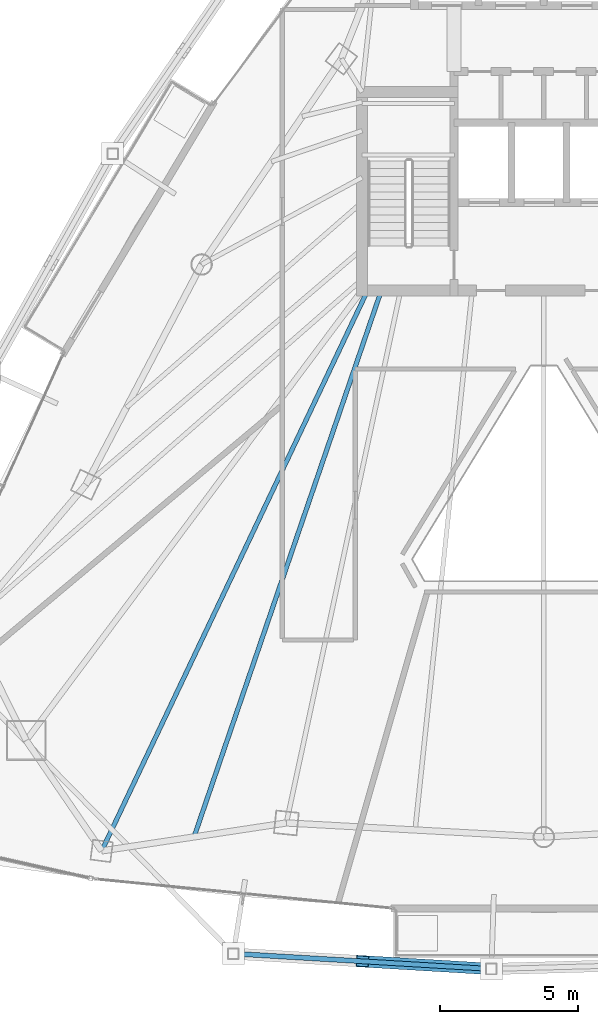
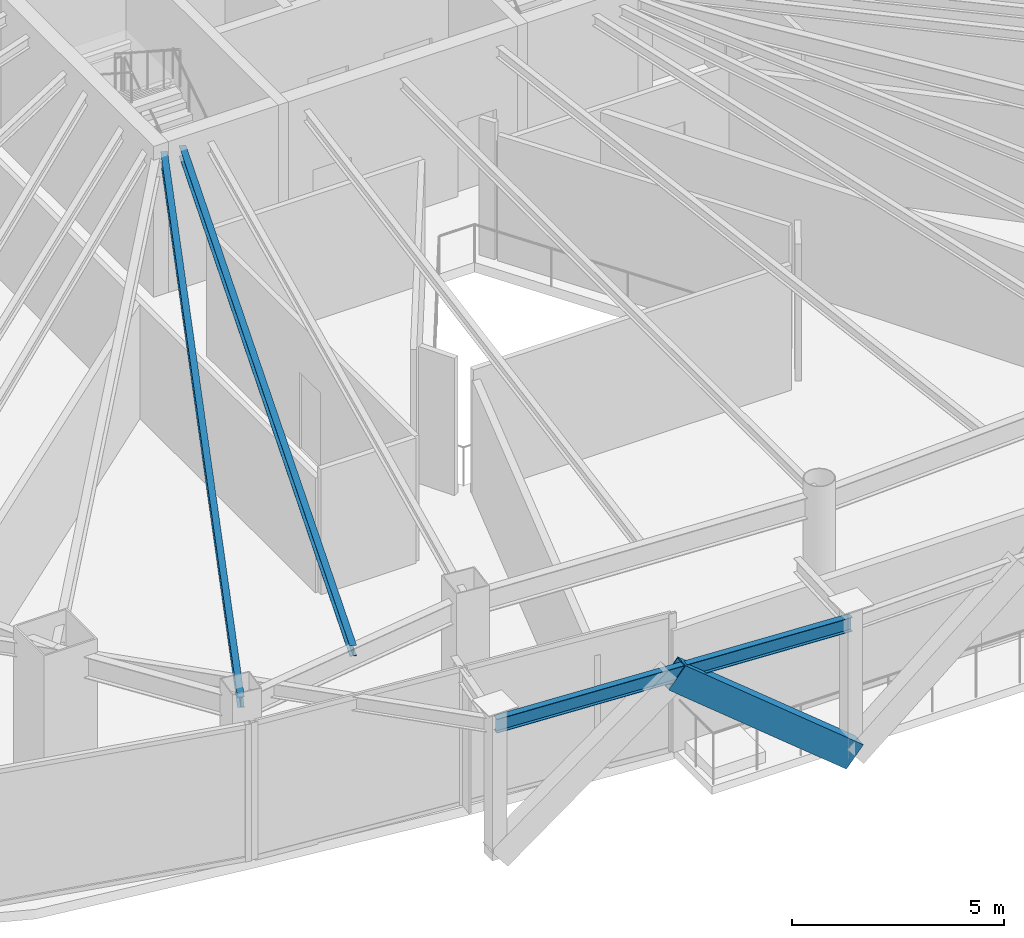
# One storey, part 5 of 27: 3 beams, 1 member.
"""IFC4 building model written with IfcOpenShell, lengths in metres."""

from ifc_helpers import new_model, si_unit, direction, frame, origin, origin_2d, place, context, subcontext, project, spatial, hollow_rectangle, i_section, extrude, material, material_profile, profile_set, type_object, element, save


model = new_model("IFC4")

# Units and contexts
model_context = context("Model", 3, precision=1e-05, world=origin(), true_north=direction((0.0, 1.0)))
body_context = subcontext(model_context, "Body", "Model", "MODEL_VIEW")
ifc_project = project(units=[si_unit("LENGTHUNIT", "METRE"), si_unit("AREAUNIT", "SQUARE_METRE"), si_unit("VOLUMEUNIT", "CUBIC_METRE"), si_unit("PLANEANGLEUNIT", "RADIAN"), si_unit("MASSUNIT", "GRAM", prefix="KILO")], contexts=[model_context])

# Site, building, storey
site_placement = place(None, origin())
site = spatial("IfcSite", under=ifc_project, at=site_placement, CompositionType="ELEMENT")
building_placement = place(site_placement, origin())
building = spatial("IfcBuilding", under=site, at=building_placement, Name="Orvanel Arch Residences", CompositionType="ELEMENT")
storey_placement = place(building_placement, frame((0.0, 0.0, 186.949951171875)))
storey = spatial("IfcBuildingStorey", under=building, at=storey_placement, Name="L53", CompositionType="ELEMENT", Elevation=186.949951171875)

# Beams
ifc_material_1 = material(Name="Structural steel AS/NZS 3679.1 Grade 300 (300 MPa)", Category="steel")
ifc_material_profile_1 = material_profile(ifc_material_1, i_section(OverallWidth=0.1650390625, OverallDepth=0.303955078125, WebThickness=0.006103515625, FlangeThickness=0.01025390625, at=origin_2d()), Name="310UB40.4")
ifc_profile_set_1 = profile_set([ifc_material_profile_1], Name="Structural steel AS/NZS 3679.1 Grade 300 (300 MPa)")
beam_type_1 = type_object("IfcBeamType", Name="BJ-310UB", PredefinedType="JOIST", material=ifc_profile_set_1)
beam_1_placement = place(storey_placement, frame((26.60009765625, 26.699951171875, 3.798095703125), z_axis=(-0.428614365266, -0.903487534993, 0.0), x_axis=(0.903487534993, -0.428614365266, 0.0)))
element("IfcBeam", 1, at=beam_1_placement, inside=storey, type_object=beam_type_1, Name="L53 MSW Wing Floor Joist", PredefinedType="JOIST", context=body_context, shape_type="SweptSolid", body=[
    extrude(i_section(OverallWidth=0.1650390625, OverallDepth=0.303955078125, WebThickness=0.006103515625, FlangeThickness=0.01025390625, at=origin_2d()), origin(), (0.0, 0.0, 1.0), 22.535888671875),
])
beam_2_placement = place(storey_placement, frame((27.10009765625, 26.699951171875, 3.798095703125), z_axis=(-0.324257108963, -0.945968988544, 0.0), x_axis=(0.945968988544, -0.324257108963, 0.0)))
element("IfcBeam", 2, at=beam_2_placement, inside=storey, type_object=beam_type_1, Name="L53 JADD1 Wing Floor Joist", PredefinedType="JOIST", context=body_context, shape_type="SweptSolid", body=[
    extrude(i_section(OverallWidth=0.1650390625, OverallDepth=0.303955078125, WebThickness=0.006103515625, FlangeThickness=0.01025390625, at=origin_2d()), origin(), (0.0, 0.0, 1.0), 20.987060546875),
])

# Member
ifc_material_2 = material(Name="Structural steel AS/NZS 3678 Grade 350", Category="steel")
ifc_material_profile_2 = material_profile(ifc_material_2, hollow_rectangle(XDim=0.419921875, YDim=0.719970703125, WallThickness=0.02490234375, at=origin_2d()), Name="RHS720x420x25")
ifc_profile_set_2 = profile_set([ifc_material_profile_2], Name="Structural steel AS/NZS 3678 Grade 350")
member_type = type_object("IfcMemberType", Name="BR-720RHS-EXT", PredefinedType="BRACE", material=ifc_profile_set_2)
member_placement = place(storey_placement, frame((31.094970703125, 2.050048828125, 0.0), z_axis=(-0.780104728413, 0.046464810035, 0.623921176221), x_axis=(-0.059456898834, -0.998230873687, 0.0)))
element("IfcMember", 3, at=member_placement, inside=storey, type_object=member_type, Name="L53 Exterior Sky-Garden V-Frame Chevron F2B1.2", PredefinedType="BRACE", context=body_context, shape_type="SweptSolid", body=[
    extrude(hollow_rectangle(XDim=0.419921875, YDim=0.719970703125, WallThickness=0.02490234375, at=origin_2d()), origin(), (0.0, 0.0, 1.0), 6.005615234375),
])

# Beam
ifc_material_profile_3 = material_profile(ifc_material_1, i_section(OverallWidth=0.177978515625, OverallDepth=0.406005859375, WebThickness=0.0078125, FlangeThickness=0.0126953125, at=origin_2d()), Name="410UB59.7")
ifc_profile_set_3 = profile_set([ifc_material_profile_3], Name="Structural steel AS/NZS 3679.1 Grade 300 (300 MPa)")
beam_type_2 = type_object("IfcBeamType", Name="OB-410UB-EXT", PredefinedType="SPANDREL", material=ifc_profile_set_3)
beam_3_placement = place(storey_placement, frame((21.72412109375, 2.60791015625, 3.7470703125), z_axis=(0.998232692604, -0.05942635288, 0.0), x_axis=(0.05942635288, 0.998232692604, 0.0)))
element("IfcBeam", 4, at=beam_3_placement, inside=storey, type_object=beam_type_2, Name="L53 Outer Perimeter Floor Ring Beam 05", PredefinedType="SPANDREL", context=body_context, shape_type="SweptSolid", body=[
    extrude(i_section(OverallWidth=0.177978515625, OverallDepth=0.406005859375, WebThickness=0.0078125, FlangeThickness=0.0126953125, at=origin_2d()), origin(), (0.0, 0.0, 1.0), 9.387451171875),
])

save(model, "model.ifc")
